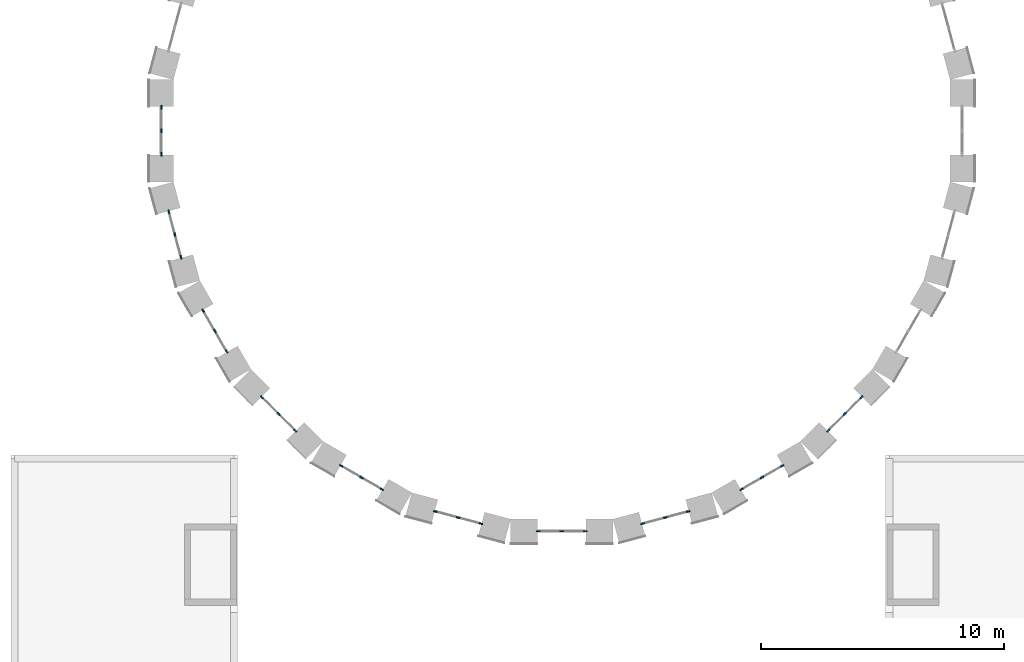
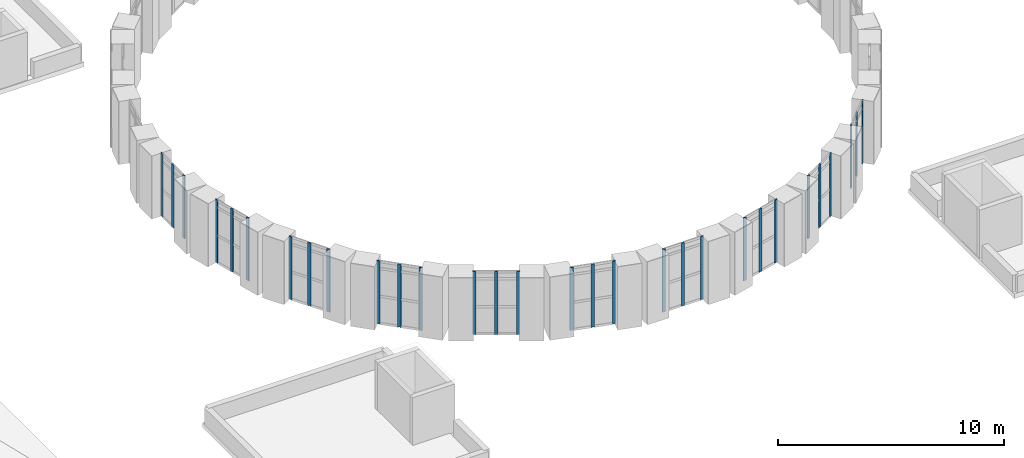
# One storey, part 11 of 42: 30 members, 10 elements without a shape of their own.
"""IFC4 building model written with IfcOpenShell, lengths in metres."""

import ifcopenshell
import ifcopenshell.guid

model = None  # the IFC model being written
_history = None  # IfcOwnerHistory: only IFC2X3 demands one
_inside = {}  # id of a spatial element -> (the spatial element, [elements in it])
_under = {}  # id of a project, library or spatial element -> (it, [spatial elements below it])
_declared = {}  # id of a project -> (the project, [libraries it declares])
_typed = {}  # id of a type object -> (the type object, [elements of that type])
_made_of = {}  # id of a material, layer set ... -> (it, [elements and type objects made of it])


def new_model(schema):
    """Start an empty IFC model of exactly this schema.

    Asked for "IFC4X3", IfcOpenShell would pick the latest addendum, in which some entities
    have other attributes; the version numbers below select the first issue.
    IFC2X3 requires an IfcOwnerHistory on every rooted entity: one is made here for all.
    """
    global model, _history
    if schema == "IFC4X3":
        model = ifcopenshell.file(schema_version=(4, 3, 0, 0))
    else:
        model = ifcopenshell.file(schema=schema)
    _inside.clear()
    _under.clear()
    _declared.clear()
    _typed.clear()
    _made_of.clear()
    _history = None
    if model.schema == "IFC2X3":
        org = make("IfcOrganization", Name="unknown")
        user = make(
            "IfcPersonAndOrganization",
            ThePerson=make("IfcPerson", FamilyName="unknown"),
            TheOrganization=org,
        )
        app = make(
            "IfcApplication",
            ApplicationDeveloper=org,
            Version="unknown",
            ApplicationFullName="unknown",
            ApplicationIdentifier="unknown",
        )
        _history = make(
            "IfcOwnerHistory",
            OwningUser=user,
            OwningApplication=app,
            ChangeAction="ADDED",
            CreationDate=0,
        )
    return model


def make(cls, **values):
    """One entity of the class cls with the attributes given. An attribute that is None is left unset."""
    return model.create_entity(
        cls, **{name: value for name, value in values.items() if value is not None}
    )


def rooted(cls, **values):
    """An entity with a GlobalId (a new one), such as an element, a storey or a relation."""
    return make(cls, GlobalId=ifcopenshell.guid.new(), OwnerHistory=_history, **values)


def si_unit(unit_type, name, prefix=None):
    """IfcSIUnit, for example si_unit("LENGTHUNIT", "METRE", prefix="MILLI")."""
    return make("IfcSIUnit", UnitType=unit_type, Prefix=prefix, Name=name)


def assignment(units):
    """IfcUnitAssignment: the units of a project."""
    return None if units is None else make("IfcUnitAssignment", Units=units)


def point(xyz):
    """IfcCartesianPoint."""
    return None if xyz is None else make("IfcCartesianPoint", Coordinates=xyz)


def direction(xyz):
    """IfcDirection."""
    return None if xyz is None else make("IfcDirection", DirectionRatios=xyz)


def frame(location, z_axis=None, x_axis=None):
    """IfcAxis2Placement3D, a coordinate frame: its origin and axes. An axis left out is left unset."""
    return make(
        "IfcAxis2Placement3D",
        Location=point(location),
        Axis=direction(z_axis),
        RefDirection=direction(x_axis),
    )


def frame_2d(location, x_axis=None):
    """IfcAxis2Placement2D, a coordinate frame in the plane: its origin and x axis."""
    return make(
        "IfcAxis2Placement2D", Location=point(location), RefDirection=direction(x_axis)
    )


def origin():
    """The frame at (0, 0, 0) with its axes left unset."""
    return frame((0.0, 0.0, 0.0))


def origin_2d():
    """The frame at (0, 0) in the plane with its x axis left unset."""
    return frame_2d((0.0, 0.0))


def place(relative_to, where):
    """IfcLocalPlacement: puts the frame where relative to a parent placement (None: the world)."""
    return make(
        "IfcLocalPlacement", PlacementRelTo=relative_to, RelativePlacement=where
    )


def context(
    kind, dimensions, precision=None, world=None, true_north=None, identifier=None
):
    """IfcGeometricRepresentationContext, for example the 3D "Model" context."""
    return make(
        "IfcGeometricRepresentationContext",
        ContextIdentifier=identifier,
        ContextType=kind,
        CoordinateSpaceDimension=dimensions,
        Precision=precision,
        WorldCoordinateSystem=world,
        TrueNorth=true_north,
    )


def subcontext(parent, identifier, kind, view, scale=None):
    """IfcGeometricRepresentationSubContext, for example "Body" below "Model"."""
    return make(
        "IfcGeometricRepresentationSubContext",
        ContextIdentifier=identifier,
        ContextType=kind,
        ParentContext=parent,
        TargetScale=scale,
        TargetView=view,
    )


def project(units=None, contexts=None):
    """IfcProject with its units and contexts."""
    return rooted(
        "IfcProject",
        Name="project",
        RepresentationContexts=contexts,
        UnitsInContext=assignment(units),
    )


def spatial(cls, under=None, at=None, **own):
    """A site, building, storey or space (cls), placed at a placement, below another one or the project."""
    s = rooted(cls, ObjectPlacement=at, **own)
    if under is not None:
        _under.setdefault(under.id(), (under, []))[1].append(s)
    return s


def profile(cls, at=None, kind="AREA", **sizes):
    """A parametric profile (cls). Its sizes go by their IFC names, for example OverallWidth=200.0."""
    return make(cls, ProfileType=kind, Position=at, **sizes)


def rectangle(**sizes):
    """IfcRectangleProfileDef."""
    return profile("IfcRectangleProfileDef", **sizes)


def extrude(swept, where, along, depth):
    """IfcExtrudedAreaSolid: the profile swept, set in the frame where, extruded along a direction by depth."""
    return make(
        "IfcExtrudedAreaSolid",
        SweptArea=swept,
        Position=where,
        ExtrudedDirection=direction(along),
        Depth=depth,
    )


def shape(context_of_items, identifier, shape_type, items):
    """IfcShapeRepresentation: the items that make up one representation, for example the "Body"."""
    return make(
        "IfcShapeRepresentation",
        ContextOfItems=context_of_items,
        RepresentationIdentifier=identifier,
        RepresentationType=shape_type,
        Items=items,
    )


def material(Name=None, Category=None):
    """IfcMaterial."""
    return make("IfcMaterial", Name=Name, Category=Category)


def layer(
    of_material, thickness, ventilated=None, Name=None, Category=None, Priority=None
):
    """IfcMaterialLayer: one layer of a wall or slab, of a material (None: an air gap)."""
    return make(
        "IfcMaterialLayer",
        Material=of_material,
        LayerThickness=thickness,
        IsVentilated=ventilated,
        Name=Name,
        Category=Category,
        Priority=Priority,
    )


def layer_set(layers, Name=None):
    """IfcMaterialLayerSet."""
    return make("IfcMaterialLayerSet", MaterialLayers=layers, LayerSetName=Name)


def material_profile(
    of_material, cross_section, Name=None, Category=None, Priority=None
):
    """IfcMaterialProfile: a cross section and its material."""
    return make(
        "IfcMaterialProfile",
        Name=Name,
        Material=of_material,
        Profile=cross_section,
        Priority=Priority,
        Category=Category,
    )


def profile_set(profiles, Name=None, composite=None):
    """IfcMaterialProfileSet."""
    return make(
        "IfcMaterialProfileSet",
        Name=Name,
        MaterialProfiles=profiles,
        CompositeProfile=composite,
    )


def made_of(thing, what):
    """Note that an element or type object is made of a material, layer set ...; save() writes the relation."""
    if what is not None:
        _made_of.setdefault(what.id(), (what, []))[1].append(thing)
    return thing


def type_object(cls, material=None, **own):
    """A type object (cls), such as IfcWallType, which elements share."""
    return made_of(rooted(cls, **own), material)


def element(
    cls,
    number,
    at=None,
    inside=None,
    cuts=None,
    type_object=None,
    material=None,
    context=None,
    identifier="Body",
    shape_type=None,
    held_by="IfcProductDefinitionShape",
    body=None,
    shapes=None,
    **own,
):
    """One element of the class cls, such as IfcWall. Its Tag is "e" and its number.

    at: its placement. inside: the storey or other place that contains it. cuts: it is an
    opening in that element (IfcRelVoidsElement). A single representation is given by context,
    identifier, shape_type and body (its items); several are given by shapes. held_by: the class
    of the entity that holds the representations. save() writes the other relations.
    """
    e = rooted(cls, Tag="e%d" % number, ObjectPlacement=at, **own)
    if body is not None:
        shapes = [shape(context, identifier, shape_type, body)]
    if shapes is not None:
        e.Representation = make(held_by, Representations=shapes)
    if inside is not None:
        _inside.setdefault(inside.id(), (inside, []))[1].append(e)
    if cuts is not None:
        rooted(
            "IfcRelVoidsElement", RelatingBuildingElement=cuts, RelatedOpeningElement=e
        )
    if type_object is not None:
        _typed.setdefault(type_object.id(), (type_object, []))[1].append(e)
    return made_of(e, material)


def aggregate(whole, parts):
    """IfcRelAggregates: a whole, such as a stair, and the parts it consists of."""
    return rooted("IfcRelAggregates", RelatingObject=whole, RelatedObjects=parts)


def save(model, path):
    """Write the relations noted so far, then the file.

    IfcRelAggregates (storeys below a building ...), IfcRelContainedInSpatialStructure (elements
    in a storey), IfcRelDefinesByType, IfcRelAssociatesMaterial and IfcRelDeclares: one each for
    every whole, place, type object, material and project.
    """
    for whole, parts in _under.values():
        aggregate(whole, parts)
    for where, things in _inside.values():
        rooted(
            "IfcRelContainedInSpatialStructure",
            RelatedElements=things,
            RelatingStructure=where,
        )
    for kind, things in _typed.values():
        rooted("IfcRelDefinesByType", RelatedObjects=things, RelatingType=kind)
    for what, things in _made_of.values():
        rooted("IfcRelAssociatesMaterial", RelatedObjects=things, RelatingMaterial=what)
    for by, libraries in _declared.values():
        rooted("IfcRelDeclares", RelatingContext=by, RelatedDefinitions=libraries)
    model.write(path)


model = new_model("IFC4")

# Units and contexts
model_context = context("Model", 3, precision=1e-05, world=origin(), true_north=direction((0.0, 1.0)))
body_context = subcontext(model_context, "Body", "Model", "MODEL_VIEW")
ifc_project = project(units=[si_unit("LENGTHUNIT", "METRE"), si_unit("AREAUNIT", "SQUARE_METRE"), si_unit("VOLUMEUNIT", "CUBIC_METRE"), si_unit("PLANEANGLEUNIT", "RADIAN"), si_unit("MASSUNIT", "GRAM", prefix="KILO")], contexts=[model_context])

# Site, building, storey
site_placement = place(None, origin())
site = spatial("IfcSite", under=ifc_project, at=site_placement, CompositionType="ELEMENT")
building_placement = place(site_placement, origin())
building = spatial("IfcBuilding", under=site, at=building_placement, Name="Golden Quay Civic Hall", CompositionType="ELEMENT")
storey_placement = place(building_placement, frame((0.0, 0.0, 22.800048828125)))
storey = spatial("IfcBuildingStorey", under=building, at=storey_placement, Name="L05", CompositionType="ELEMENT", Elevation=22.800048828125)

# Curtain wall, members
ifc_material_1 = material(Name="Glass, laminated double glazed", Category="glass")
ifc_layer = layer(ifc_material_1, 0.199951171875)
ifc_layer_set = layer_set([ifc_layer], Name="Glazed drum clerestory curtain wall")
curtain_wall_type = type_object("IfcCurtainWallType", Name="Glazed drum clerestory curtain wall", PredefinedType="NOTDEFINED", material=ifc_layer_set)
curtain_wall_1_placement = place(storey_placement, origin())
curtain_wall_1 = element("IfcCurtainWall", 1, at=curtain_wall_1_placement, inside=storey, type_object=curtain_wall_type, Name="Clerestory curtain wall 12", PredefinedType="NOTDEFINED")
ifc_material_2 = material(Name="Aluminium, anodised", Category="aluminium")
ifc_material_profile = material_profile(ifc_material_2, rectangle(XDim=0.06005859375, YDim=0.159912109375, at=origin_2d()), Name="Aluminium 60 x 160")
ifc_profile_set = profile_set([ifc_material_profile], Name="Aluminium, anodised")
member_type = type_object("IfcMemberType", Name="Aluminium mullion 60 x 160", PredefinedType="MULLION", material=ifc_profile_set)
member_1_placement = place(storey_placement, frame((69.0, 86.469970703125, 0.300048828125), z_axis=(0.0, 0.0, 1.0), x_axis=(1.0, 0.0, 0.0)))
member_1 = element("IfcMember", 2, at=member_1_placement, type_object=member_type, Name="CW5 mullion 1", PredefinedType="MULLION", context=body_context, shape_type="SweptSolid", body=[
    extrude(rectangle(XDim=0.06005859375, YDim=0.159912109375, at=origin_2d()), origin(), (0.0, 0.0, 1.0), 3.39990234375),
])
member_2_placement = place(storey_placement, frame((69.0, 85.5, 0.300048828125), z_axis=(0.0, 0.0, 1.0), x_axis=(1.0, 0.0, 0.0)))
member_2 = element("IfcMember", 3, at=member_2_placement, type_object=member_type, Name="CW5 mullion 2", PredefinedType="MULLION", context=body_context, shape_type="SweptSolid", body=[
    extrude(rectangle(XDim=0.06005859375, YDim=0.159912109375, at=origin_2d()), origin(), (0.0, 0.0, 1.0), 3.39990234375),
])
member_3_placement = place(storey_placement, frame((69.0, 84.530029296875, 0.300048828125), z_axis=(0.0, 0.0, 1.0), x_axis=(1.0, 0.0, 0.0)))
member_3 = element("IfcMember", 4, at=member_3_placement, type_object=member_type, Name="CW5 mullion 3", PredefinedType="MULLION", context=body_context, shape_type="SweptSolid", body=[
    extrude(rectangle(XDim=0.06005859375, YDim=0.159912109375, at=origin_2d()), origin(), (0.0, 0.0, 1.0), 3.39990234375),
])
aggregate(curtain_wall_1, [member_1, member_2, member_3])

curtain_wall_2_placement = place(storey_placement, origin())
curtain_wall_2 = element("IfcCurtainWall", 5, at=curtain_wall_2_placement, inside=storey, type_object=curtain_wall_type, Name="Clerestory curtain wall 13", PredefinedType="NOTDEFINED")
member_4_placement = place(storey_placement, frame((69.311279296875, 82.16650390625, 0.300048828125), z_axis=(0.0, 0.0, 1.0), x_axis=(0.965928857556, 0.258807731996, 0.0)))
member_4 = element("IfcMember", 6, at=member_4_placement, type_object=member_type, Name="CW5 mullion 1", PredefinedType="MULLION", context=body_context, shape_type="SweptSolid", body=[
    extrude(rectangle(XDim=0.06005859375, YDim=0.159912109375, at=origin_2d()), origin(), (0.0, 0.0, 1.0), 3.39990234375),
])
member_5_placement = place(storey_placement, frame((69.562255859375, 81.2294921875, 0.300048828125), z_axis=(0.0, 0.0, 1.0), x_axis=(0.965928857556, 0.258807731996, 0.0)))
member_5 = element("IfcMember", 7, at=member_5_placement, type_object=member_type, Name="CW5 mullion 2", PredefinedType="MULLION", context=body_context, shape_type="SweptSolid", body=[
    extrude(rectangle(XDim=0.06005859375, YDim=0.159912109375, at=origin_2d()), origin(), (0.0, 0.0, 1.0), 3.39990234375),
])
member_6_placement = place(storey_placement, frame((69.813232421875, 80.29248046875, 0.300048828125), z_axis=(0.0, 0.0, 1.0), x_axis=(0.965928857556, 0.258807731996, 0.0)))
member_6 = element("IfcMember", 8, at=member_6_placement, type_object=member_type, Name="CW5 mullion 3", PredefinedType="MULLION", context=body_context, shape_type="SweptSolid", body=[
    extrude(rectangle(XDim=0.06005859375, YDim=0.159912109375, at=origin_2d()), origin(), (0.0, 0.0, 1.0), 3.39990234375),
])
aggregate(curtain_wall_2, [member_4, member_5, member_6])

curtain_wall_3_placement = place(storey_placement, origin())
curtain_wall_3 = element("IfcCurtainWall", 9, at=curtain_wall_3_placement, inside=storey, type_object=curtain_wall_type, Name="Clerestory curtain wall 14", PredefinedType="NOTDEFINED")
member_7_placement = place(storey_placement, frame((70.7255859375, 78.090087890625, 0.300048828125), z_axis=(0.0, 0.0, 1.0), x_axis=(0.866019052627, 0.500011000366, 0.0)))
member_7 = element("IfcMember", 10, at=member_7_placement, type_object=member_type, Name="CW5 mullion 1", PredefinedType="MULLION", context=body_context, shape_type="SweptSolid", body=[
    extrude(rectangle(XDim=0.06005859375, YDim=0.159912109375, at=origin_2d()), origin(), (0.0, 0.0, 1.0), 3.39990234375),
])
member_8_placement = place(storey_placement, frame((71.210693359375, 77.25, 0.300048828125), z_axis=(0.0, 0.0, 1.0), x_axis=(0.866019052627, 0.500011000366, 0.0)))
member_8 = element("IfcMember", 11, at=member_8_placement, type_object=member_type, Name="CW5 mullion 2", PredefinedType="MULLION", context=body_context, shape_type="SweptSolid", body=[
    extrude(rectangle(XDim=0.06005859375, YDim=0.159912109375, at=origin_2d()), origin(), (0.0, 0.0, 1.0), 3.39990234375),
])
member_9_placement = place(storey_placement, frame((71.695556640625, 76.409912109375, 0.300048828125), z_axis=(0.0, 0.0, 1.0), x_axis=(0.866019052627, 0.500011000366, 0.0)))
member_9 = element("IfcMember", 12, at=member_9_placement, type_object=member_type, Name="CW5 mullion 3", PredefinedType="MULLION", context=body_context, shape_type="SweptSolid", body=[
    extrude(rectangle(XDim=0.06005859375, YDim=0.159912109375, at=origin_2d()), origin(), (0.0, 0.0, 1.0), 3.39990234375),
])
aggregate(curtain_wall_3, [member_7, member_8, member_9])

curtain_wall_4_placement = place(storey_placement, origin())
curtain_wall_4 = element("IfcCurtainWall", 13, at=curtain_wall_4_placement, inside=storey, type_object=curtain_wall_type, Name="Clerestory curtain wall 15", PredefinedType="NOTDEFINED")
member_10_placement = place(storey_placement, frame((73.146728515625, 74.5185546875, 0.300048828125), z_axis=(0.0, 0.0, 1.0), x_axis=(0.707106781187, 0.707106781187, 0.0)))
member_10 = element("IfcMember", 14, at=member_10_placement, type_object=member_type, Name="CW5 mullion 1", PredefinedType="MULLION", context=body_context, shape_type="SweptSolid", body=[
    extrude(rectangle(XDim=0.06005859375, YDim=0.159912109375, at=origin_2d()), origin(), (0.0, 0.0, 1.0), 3.39990234375),
])
member_11_placement = place(storey_placement, frame((73.832763671875, 73.832763671875, 0.300048828125), z_axis=(0.0, 0.0, 1.0), x_axis=(0.707106781187, 0.707106781187, 0.0)))
member_11 = element("IfcMember", 15, at=member_11_placement, type_object=member_type, Name="CW5 mullion 2", PredefinedType="MULLION", context=body_context, shape_type="SweptSolid", body=[
    extrude(rectangle(XDim=0.06005859375, YDim=0.159912109375, at=origin_2d()), origin(), (0.0, 0.0, 1.0), 3.39990234375),
])
member_12_placement = place(storey_placement, frame((74.5185546875, 73.146728515625, 0.300048828125), z_axis=(0.0, 0.0, 1.0), x_axis=(0.707106781187, 0.707106781187, 0.0)))
member_12 = element("IfcMember", 16, at=member_12_placement, type_object=member_type, Name="CW5 mullion 3", PredefinedType="MULLION", context=body_context, shape_type="SweptSolid", body=[
    extrude(rectangle(XDim=0.06005859375, YDim=0.159912109375, at=origin_2d()), origin(), (0.0, 0.0, 1.0), 3.39990234375),
])
aggregate(curtain_wall_4, [member_10, member_11, member_12])

curtain_wall_5_placement = place(storey_placement, origin())
curtain_wall_5 = element("IfcCurtainWall", 17, at=curtain_wall_5_placement, inside=storey, type_object=curtain_wall_type, Name="Clerestory curtain wall 16", PredefinedType="NOTDEFINED")
member_13_placement = place(storey_placement, frame((76.409912109375, 71.695556640625, 0.300048828125), z_axis=(0.0, 0.0, 1.0), x_axis=(0.500011000366, 0.866019052627, 0.0)))
member_13 = element("IfcMember", 18, at=member_13_placement, type_object=member_type, Name="CW5 mullion 1", PredefinedType="MULLION", context=body_context, shape_type="SweptSolid", body=[
    extrude(rectangle(XDim=0.06005859375, YDim=0.159912109375, at=origin_2d()), origin(), (0.0, 0.0, 1.0), 3.39990234375),
])
member_14_placement = place(storey_placement, frame((77.25, 71.210693359375, 0.300048828125), z_axis=(0.0, 0.0, 1.0), x_axis=(0.500011000366, 0.866019052627, 0.0)))
member_14 = element("IfcMember", 19, at=member_14_placement, type_object=member_type, Name="CW5 mullion 2", PredefinedType="MULLION", context=body_context, shape_type="SweptSolid", body=[
    extrude(rectangle(XDim=0.06005859375, YDim=0.159912109375, at=origin_2d()), origin(), (0.0, 0.0, 1.0), 3.39990234375),
])
member_15_placement = place(storey_placement, frame((78.090087890625, 70.7255859375, 0.300048828125), z_axis=(0.0, 0.0, 1.0), x_axis=(0.500011000366, 0.866019052627, 0.0)))
member_15 = element("IfcMember", 20, at=member_15_placement, type_object=member_type, Name="CW5 mullion 3", PredefinedType="MULLION", context=body_context, shape_type="SweptSolid", body=[
    extrude(rectangle(XDim=0.06005859375, YDim=0.159912109375, at=origin_2d()), origin(), (0.0, 0.0, 1.0), 3.39990234375),
])
aggregate(curtain_wall_5, [member_13, member_14, member_15])

curtain_wall_6_placement = place(storey_placement, origin())
curtain_wall_6 = element("IfcCurtainWall", 21, at=curtain_wall_6_placement, inside=storey, type_object=curtain_wall_type, Name="Clerestory curtain wall 17", PredefinedType="NOTDEFINED")
member_16_placement = place(storey_placement, frame((80.29248046875, 69.813232421875, 0.300048828125), z_axis=(0.0, 0.0, 1.0), x_axis=(0.258807731996, 0.965928857556, 0.0)))
member_16 = element("IfcMember", 22, at=member_16_placement, type_object=member_type, Name="CW5 mullion 1", PredefinedType="MULLION", context=body_context, shape_type="SweptSolid", body=[
    extrude(rectangle(XDim=0.06005859375, YDim=0.159912109375, at=origin_2d()), origin(), (0.0, 0.0, 1.0), 3.39990234375),
])
member_17_placement = place(storey_placement, frame((81.2294921875, 69.562255859375, 0.300048828125), z_axis=(0.0, 0.0, 1.0), x_axis=(0.258807731996, 0.965928857556, 0.0)))
member_17 = element("IfcMember", 23, at=member_17_placement, type_object=member_type, Name="CW5 mullion 2", PredefinedType="MULLION", context=body_context, shape_type="SweptSolid", body=[
    extrude(rectangle(XDim=0.06005859375, YDim=0.159912109375, at=origin_2d()), origin(), (0.0, 0.0, 1.0), 3.39990234375),
])
member_18_placement = place(storey_placement, frame((82.16650390625, 69.311279296875, 0.300048828125), z_axis=(0.0, 0.0, 1.0), x_axis=(0.258807731996, 0.965928857556, 0.0)))
member_18 = element("IfcMember", 24, at=member_18_placement, type_object=member_type, Name="CW5 mullion 3", PredefinedType="MULLION", context=body_context, shape_type="SweptSolid", body=[
    extrude(rectangle(XDim=0.06005859375, YDim=0.159912109375, at=origin_2d()), origin(), (0.0, 0.0, 1.0), 3.39990234375),
])
aggregate(curtain_wall_6, [member_16, member_17, member_18])

curtain_wall_7_placement = place(storey_placement, origin())
curtain_wall_7 = element("IfcCurtainWall", 25, at=curtain_wall_7_placement, inside=storey, type_object=curtain_wall_type, Name="Clerestory curtain wall 18", PredefinedType="NOTDEFINED")
member_19_placement = place(storey_placement, frame((84.530029296875, 69.0, 0.300048828125), z_axis=(0.0, 0.0, 1.0), x_axis=(0.0, 1.0, 0.0)))
member_19 = element("IfcMember", 26, at=member_19_placement, type_object=member_type, Name="CW5 mullion 1", PredefinedType="MULLION", context=body_context, shape_type="SweptSolid", body=[
    extrude(rectangle(XDim=0.06005859375, YDim=0.159912109375, at=origin_2d()), origin(), (0.0, 0.0, 1.0), 3.39990234375),
])
member_20_placement = place(storey_placement, frame((85.5, 69.0, 0.300048828125), z_axis=(0.0, 0.0, 1.0), x_axis=(0.0, 1.0, 0.0)))
member_20 = element("IfcMember", 27, at=member_20_placement, type_object=member_type, Name="CW5 mullion 2", PredefinedType="MULLION", context=body_context, shape_type="SweptSolid", body=[
    extrude(rectangle(XDim=0.06005859375, YDim=0.159912109375, at=origin_2d()), origin(), (0.0, 0.0, 1.0), 3.39990234375),
])
member_21_placement = place(storey_placement, frame((86.469970703125, 69.0, 0.300048828125), z_axis=(0.0, 0.0, 1.0), x_axis=(0.0, 1.0, 0.0)))
member_21 = element("IfcMember", 28, at=member_21_placement, type_object=member_type, Name="CW5 mullion 3", PredefinedType="MULLION", context=body_context, shape_type="SweptSolid", body=[
    extrude(rectangle(XDim=0.06005859375, YDim=0.159912109375, at=origin_2d()), origin(), (0.0, 0.0, 1.0), 3.39990234375),
])
aggregate(curtain_wall_7, [member_19, member_20, member_21])

curtain_wall_8_placement = place(storey_placement, origin())
curtain_wall_8 = element("IfcCurtainWall", 29, at=curtain_wall_8_placement, inside=storey, type_object=curtain_wall_type, Name="Clerestory curtain wall 19", PredefinedType="NOTDEFINED")
member_22_placement = place(storey_placement, frame((88.83349609375, 69.311279296875, 0.300048828125), z_axis=(0.0, 0.0, 1.0), x_axis=(-0.258807731996, 0.965928857556, 0.0)))
member_22 = element("IfcMember", 30, at=member_22_placement, type_object=member_type, Name="CW5 mullion 1", PredefinedType="MULLION", context=body_context, shape_type="SweptSolid", body=[
    extrude(rectangle(XDim=0.06005859375, YDim=0.159912109375, at=origin_2d()), origin(), (0.0, 0.0, 1.0), 3.39990234375),
])
member_23_placement = place(storey_placement, frame((89.7705078125, 69.562255859375, 0.300048828125), z_axis=(0.0, 0.0, 1.0), x_axis=(-0.258807731996, 0.965928857556, 0.0)))
member_23 = element("IfcMember", 31, at=member_23_placement, type_object=member_type, Name="CW5 mullion 2", PredefinedType="MULLION", context=body_context, shape_type="SweptSolid", body=[
    extrude(rectangle(XDim=0.06005859375, YDim=0.159912109375, at=origin_2d()), origin(), (0.0, 0.0, 1.0), 3.39990234375),
])
member_24_placement = place(storey_placement, frame((90.70751953125, 69.813232421875, 0.300048828125), z_axis=(0.0, 0.0, 1.0), x_axis=(-0.258807731996, 0.965928857556, 0.0)))
member_24 = element("IfcMember", 32, at=member_24_placement, type_object=member_type, Name="CW5 mullion 3", PredefinedType="MULLION", context=body_context, shape_type="SweptSolid", body=[
    extrude(rectangle(XDim=0.06005859375, YDim=0.159912109375, at=origin_2d()), origin(), (0.0, 0.0, 1.0), 3.39990234375),
])
aggregate(curtain_wall_8, [member_22, member_23, member_24])

curtain_wall_9_placement = place(storey_placement, origin())
curtain_wall_9 = element("IfcCurtainWall", 33, at=curtain_wall_9_placement, inside=storey, type_object=curtain_wall_type, Name="Clerestory curtain wall 20", PredefinedType="NOTDEFINED")
member_25_placement = place(storey_placement, frame((92.909912109375, 70.7255859375, 0.300048828125), z_axis=(0.0, 0.0, 1.0), x_axis=(-0.500011000366, 0.866019052627, 0.0)))
member_25 = element("IfcMember", 34, at=member_25_placement, type_object=member_type, Name="CW5 mullion 1", PredefinedType="MULLION", context=body_context, shape_type="SweptSolid", body=[
    extrude(rectangle(XDim=0.06005859375, YDim=0.159912109375, at=origin_2d()), origin(), (0.0, 0.0, 1.0), 3.39990234375),
])
member_26_placement = place(storey_placement, frame((93.75, 71.210693359375, 0.300048828125), z_axis=(0.0, 0.0, 1.0), x_axis=(-0.500011000366, 0.866019052627, 0.0)))
member_26 = element("IfcMember", 35, at=member_26_placement, type_object=member_type, Name="CW5 mullion 2", PredefinedType="MULLION", context=body_context, shape_type="SweptSolid", body=[
    extrude(rectangle(XDim=0.06005859375, YDim=0.159912109375, at=origin_2d()), origin(), (0.0, 0.0, 1.0), 3.39990234375),
])
member_27_placement = place(storey_placement, frame((94.590087890625, 71.695556640625, 0.300048828125), z_axis=(0.0, 0.0, 1.0), x_axis=(-0.500011000366, 0.866019052627, 0.0)))
member_27 = element("IfcMember", 36, at=member_27_placement, type_object=member_type, Name="CW5 mullion 3", PredefinedType="MULLION", context=body_context, shape_type="SweptSolid", body=[
    extrude(rectangle(XDim=0.06005859375, YDim=0.159912109375, at=origin_2d()), origin(), (0.0, 0.0, 1.0), 3.39990234375),
])
aggregate(curtain_wall_9, [member_25, member_26, member_27])

curtain_wall_10_placement = place(storey_placement, origin())
curtain_wall_10 = element("IfcCurtainWall", 37, at=curtain_wall_10_placement, inside=storey, type_object=curtain_wall_type, Name="Clerestory curtain wall 21", PredefinedType="NOTDEFINED")
member_28_placement = place(storey_placement, frame((96.4814453125, 73.146728515625, 0.300048828125), z_axis=(0.0, 0.0, 1.0), x_axis=(-0.707106781187, 0.707106781187, 0.0)))
member_28 = element("IfcMember", 38, at=member_28_placement, type_object=member_type, Name="CW5 mullion 1", PredefinedType="MULLION", context=body_context, shape_type="SweptSolid", body=[
    extrude(rectangle(XDim=0.06005859375, YDim=0.159912109375, at=origin_2d()), origin(), (0.0, 0.0, 1.0), 3.39990234375),
])
member_29_placement = place(storey_placement, frame((97.167236328125, 73.832763671875, 0.300048828125), z_axis=(0.0, 0.0, 1.0), x_axis=(-0.707106781187, 0.707106781187, 0.0)))
member_29 = element("IfcMember", 39, at=member_29_placement, type_object=member_type, Name="CW5 mullion 2", PredefinedType="MULLION", context=body_context, shape_type="SweptSolid", body=[
    extrude(rectangle(XDim=0.06005859375, YDim=0.159912109375, at=origin_2d()), origin(), (0.0, 0.0, 1.0), 3.39990234375),
])
member_30_placement = place(storey_placement, frame((97.853271484375, 74.5185546875, 0.300048828125), z_axis=(0.0, 0.0, 1.0), x_axis=(-0.707106781187, 0.707106781187, 0.0)))
member_30 = element("IfcMember", 40, at=member_30_placement, type_object=member_type, Name="CW5 mullion 3", PredefinedType="MULLION", context=body_context, shape_type="SweptSolid", body=[
    extrude(rectangle(XDim=0.06005859375, YDim=0.159912109375, at=origin_2d()), origin(), (0.0, 0.0, 1.0), 3.39990234375),
])
aggregate(curtain_wall_10, [member_28, member_29, member_30])

save(model, "model.ifc")
